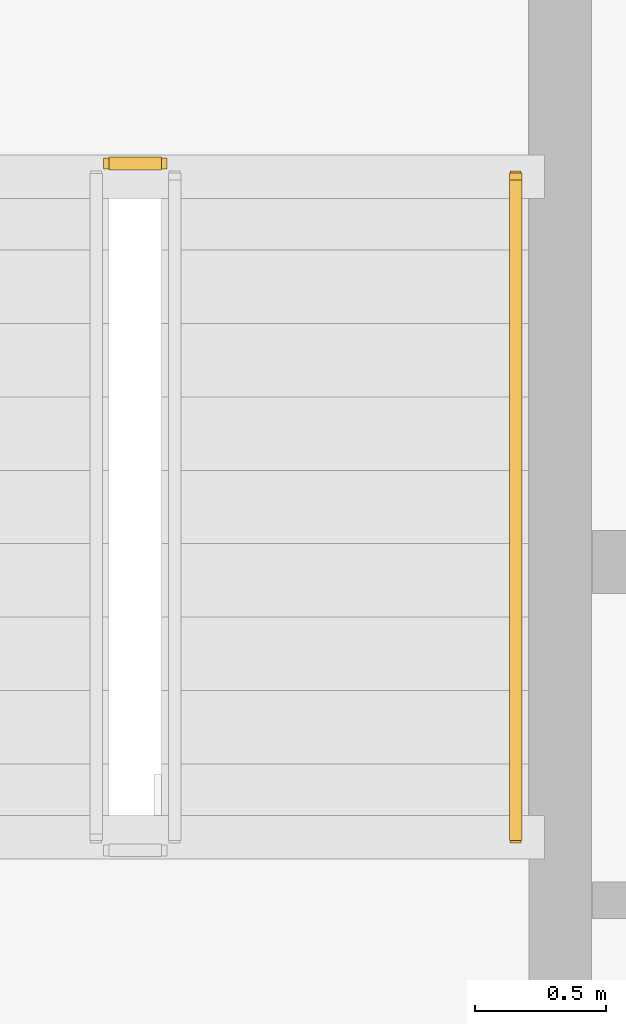
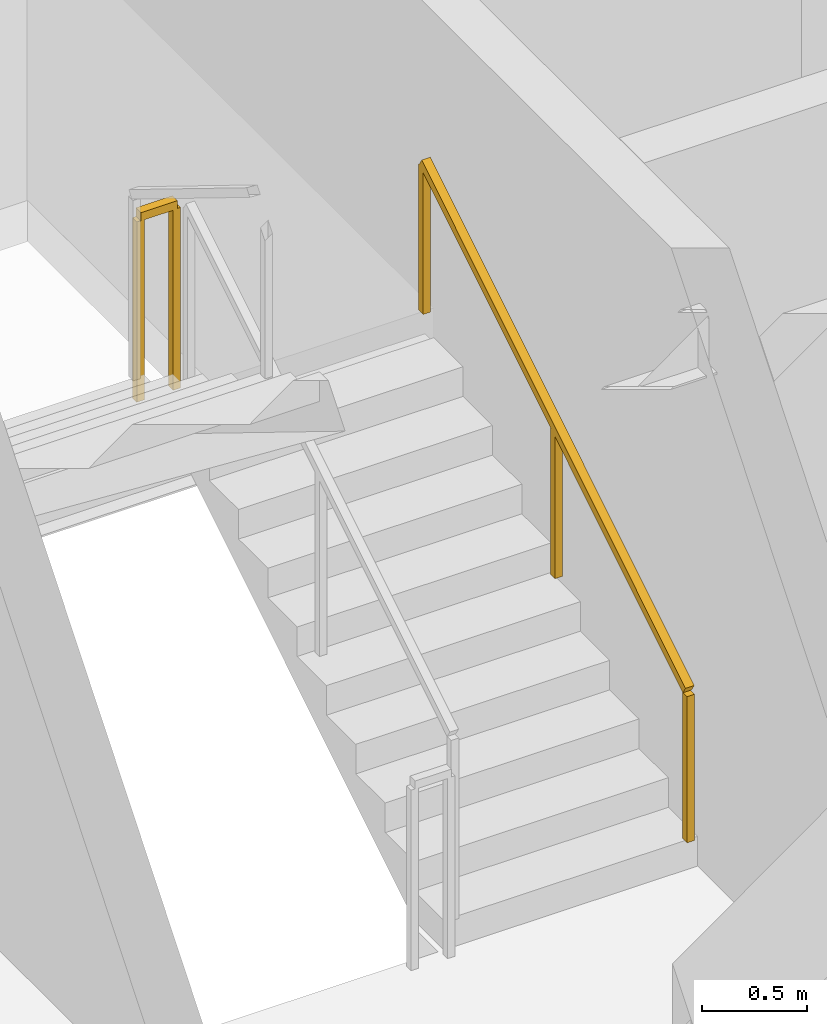
# One storey, part 10 of 11: 2 railings.
"""IFC4 building model written with IfcOpenShell, lengths in metres."""

from ifc_helpers import new_model, si_unit, direction, frame, origin, origin_2d, place, context, subcontext, project, spatial, rectangle, extrude, material, type_object, element, save


model = new_model("IFC4")

# Units and contexts
model_context = context("Model", 3, precision=1e-05, world=origin(), true_north=direction((0.0, 1.0)))
body_context = subcontext(model_context, "Body", "Model", "MODEL_VIEW")
ifc_project = project(units=[si_unit("LENGTHUNIT", "METRE"), si_unit("AREAUNIT", "SQUARE_METRE"), si_unit("VOLUMEUNIT", "CUBIC_METRE"), si_unit("PLANEANGLEUNIT", "RADIAN"), si_unit("MASSUNIT", "GRAM", prefix="KILO")], contexts=[model_context])

# Site, building, storey
site_placement = place(None, origin())
site = spatial("IfcSite", under=ifc_project, at=site_placement, CompositionType="ELEMENT")
building_placement = place(site_placement, origin())
building = spatial("IfcBuilding", under=site, at=building_placement, Name="Haldorwick Loom Tower", CompositionType="ELEMENT")
storey_placement = place(building_placement, frame((0.0, 0.0, 215.199951171875)))
storey = spatial("IfcBuildingStorey", under=building, at=storey_placement, Name="L58", CompositionType="ELEMENT", Elevation=215.199951171875)

# Railings
ifc_material = material(Name="Steel CSA G40.21 350W", Category="steel")
railing_type_1 = type_object("IfcRailingType", Name="ARC-RLG-GUARD112", PredefinedType="GUARDRAIL", material=ifc_material)
railing_1_placement = place(storey_placement, frame((31.85009765625, 30.969970703125, 1.72509765625)))
element("IfcRailing", 1, at=railing_1_placement, inside=storey, type_object=railing_type_1, Name="L58 ST-03 stair guard 2", PredefinedType="GUARDRAIL", context=body_context, shape_type="SweptSolid", body=[
    extrude(rectangle(XDim=0.048095703125, YDim=0.048095703125, at=origin_2d()), frame((0.0, 0.0, 1.076171875), z_axis=(-1.0, 0.0, 0.0), x_axis=(0.0, -1.0, 0.0)), (0.0, 0.0, 1.0), 0.2001953125),
    extrude(rectangle(XDim=0.0419921875, YDim=0.0419921875, at=origin_2d()), origin(), (0.0, 0.0, 1.0), 1.052001953125),
    extrude(rectangle(XDim=0.0419921875, YDim=0.0419921875, at=origin_2d()), frame((-0.2001953125, 0.0, 0.0)), (0.0, 0.0, 1.0), 1.052001953125),
])
railing_type_2 = type_object("IfcRailingType", Name="ARC-RLG-HAND092", PredefinedType="HANDRAIL", material=ifc_material)
railing_2_placement = place(storey_placement, frame((33.199951171875, 28.39990234375, 0.172607421875)))
element("IfcRailing", 2, at=railing_2_placement, inside=storey, type_object=railing_type_2, Name="L58 ST-03 stair handrail 1", PredefinedType="HANDRAIL", context=body_context, shape_type="SweptSolid", body=[
    extrude(rectangle(XDim=0.048095703125, YDim=0.048095703125, at=origin_2d()), frame((0.0, 0.0, 0.8759765625), z_axis=(0.0, 0.851400495292, 0.524516154772), x_axis=(-1.0, 0.0, 0.0)), (0.0, 0.0, 1.0), 2.9599609375),
    extrude(rectangle(XDim=0.0419921875, YDim=0.0419921875, at=origin_2d()), origin(), (0.0, 0.0, 1.0), 0.851806640625),
    extrude(rectangle(XDim=0.0419921875, YDim=0.0419921875, at=origin_2d()), frame((0.0, 1.260009765625, 0.7763671875)), (0.0, 0.0, 1.0), 0.851806640625),
    extrude(rectangle(XDim=0.0419921875, YDim=0.0419921875, at=origin_2d()), frame((0.0, 2.52001953125, 1.552490234375)), (0.0, 0.0, 1.0), 0.851806640625),
])

save(model, "model.ifc")
